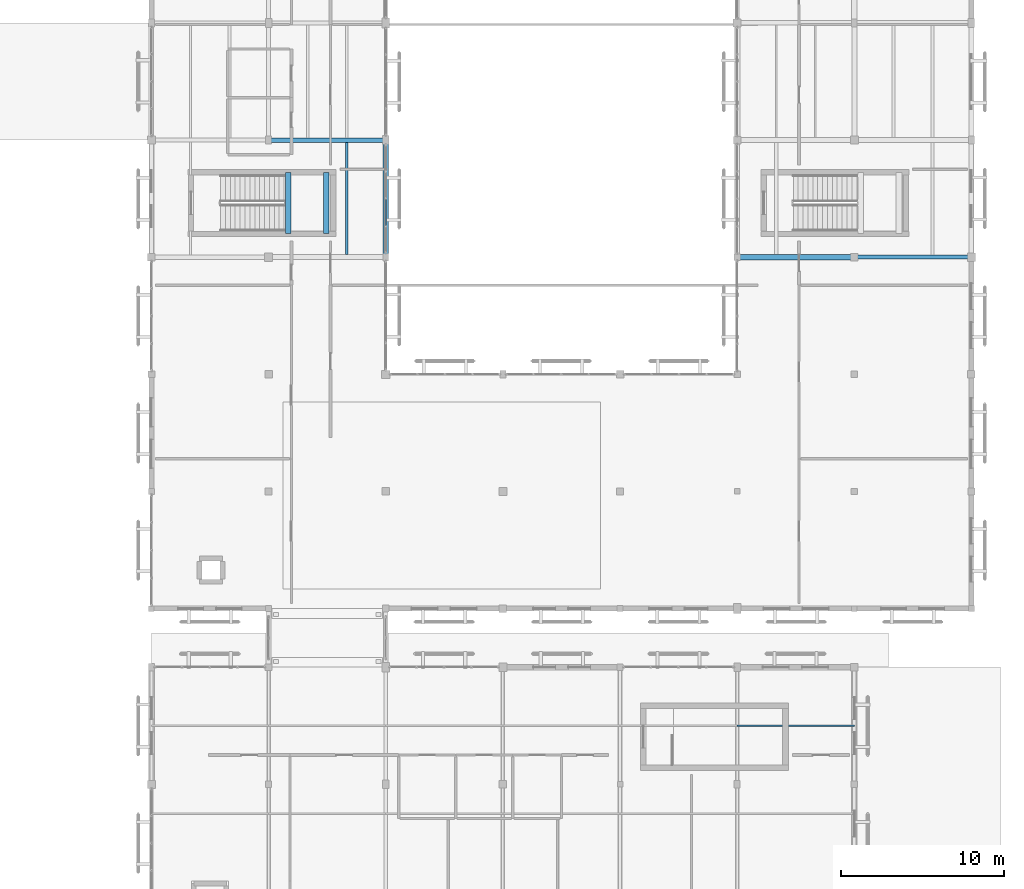
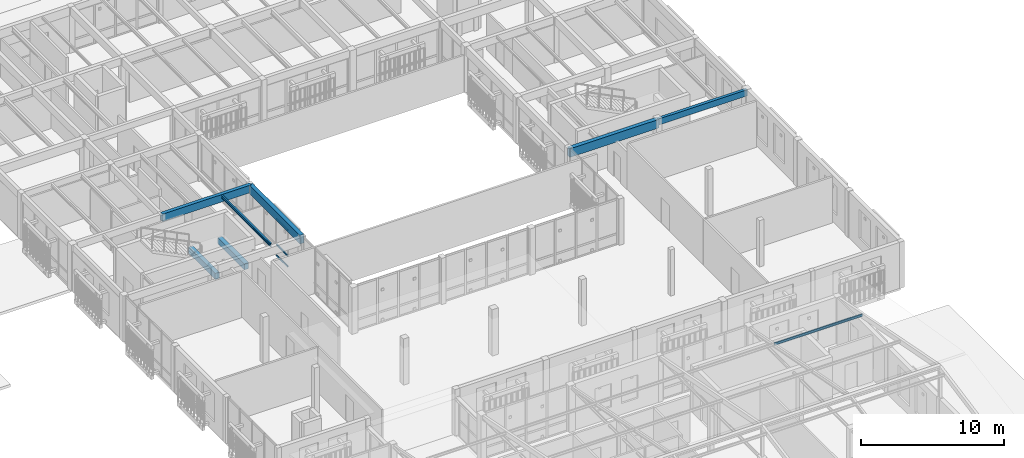
# One storey, part 58 of 112: 7 beams, 4 members, 1 element without a shape of its own.
"""IFC4 building model written with IfcOpenShell, lengths in metres."""

from ifc_helpers import new_model, si_unit, direction, frame, origin, origin_2d, place, context, subcontext, project, spatial, rectangle, hollow_rectangle, i_section, extrude, material, layer, layer_set, material_profile, profile_set, type_object, element, aggregate, save


model = new_model("IFC4")

# Units and contexts
model_context = context("Model", 3, precision=1e-05, world=origin(), true_north=direction((0.0, 1.0)))
body_context = subcontext(model_context, "Body", "Model", "MODEL_VIEW")
ifc_project = project(units=[si_unit("LENGTHUNIT", "METRE"), si_unit("AREAUNIT", "SQUARE_METRE"), si_unit("VOLUMEUNIT", "CUBIC_METRE"), si_unit("PLANEANGLEUNIT", "RADIAN"), si_unit("MASSUNIT", "GRAM", prefix="KILO")], contexts=[model_context])

# Site, building, storey
site_placement = place(None, origin())
site = spatial("IfcSite", under=ifc_project, at=site_placement, CompositionType="ELEMENT")
building_placement = place(site_placement, origin())
building = spatial("IfcBuilding", under=site, at=building_placement, Name="Mazaris Harbour Polytechnic", CompositionType="ELEMENT")
storey_placement = place(building_placement, frame((0.0, 0.0, 13.800048828125)))
storey = spatial("IfcBuildingStorey", under=building, at=storey_placement, Name="L03", CompositionType="ELEMENT", Elevation=13.800048828125)

# Curtain wall, members
ifc_material_1 = material(Name="Anodised Bronze Aluminium and Low-E Glass", Category="aluminium")
ifc_layer = layer(ifc_material_1, 0.169921875, Name="Anodised Bronze Aluminium and Low-E Glass")
ifc_layer_set = layer_set([ifc_layer], Name="Anodised Bronze Aluminium and Low-E Glass")
curtain_wall_type = type_object("IfcCurtainWallType", Name="Studio North-Light Curtain Wall", PredefinedType="NOTDEFINED", material=ifc_layer_set)
curtain_wall_placement = place(storey_placement, origin())
curtain_wall = element("IfcCurtainWall", 1, at=curtain_wall_placement, inside=storey, type_object=curtain_wall_type, Name="V5 L03 Curtain Wall 264", PredefinedType="NOTDEFINED")
ifc_material_2 = material(Name="Anodised Bronze Steel S355", Category="steel")
ifc_material_profile_1 = material_profile(ifc_material_2, hollow_rectangle(XDim=0.080078125, YDim=0.139892578125, WallThickness=0.00634765625, at=origin_2d()), Name="RHS 80x140x6.3")
ifc_profile_set_1 = profile_set([ifc_material_profile_1], Name="Anodised Bronze Steel S355")
member_type_1 = type_object("IfcMemberType", Name="Curtain Transom RHS80x140", PredefinedType="USERDEFINED", material=ifc_profile_set_1)
member_1_placement = place(storey_placement, frame((136.800048828125, 70.348388671875, 0.0400390625), z_axis=(0.0, 1.0, 0.0), x_axis=(-1.0, 0.0, 0.0)))
member_1 = element("IfcMember", 2, at=member_1_placement, type_object=member_type_1, Name="CW-03 transom 2.1", ObjectType="TRANSOM", PredefinedType="USERDEFINED", context=body_context, shape_type="SweptSolid", body=[
    extrude(hollow_rectangle(XDim=0.080078125, YDim=0.139892578125, WallThickness=0.00634765625, at=origin_2d()), origin(), (0.0, 0.0, 1.0), 1.5966796875),
])
member_2_placement = place(storey_placement, frame((136.800048828125, 70.348388671875, 0.949951171875), z_axis=(0.0, 1.0, 0.0), x_axis=(-1.0, 0.0, 0.0)))
member_2 = element("IfcMember", 3, at=member_2_placement, type_object=member_type_1, Name="CW-03 transom 2.2", ObjectType="TRANSOM", PredefinedType="USERDEFINED", context=body_context, shape_type="SweptSolid", body=[
    extrude(hollow_rectangle(XDim=0.080078125, YDim=0.139892578125, WallThickness=0.00634765625, at=origin_2d()), origin(), (0.0, 0.0, 1.0), 1.5966796875),
])
member_3_placement = place(storey_placement, frame((136.800048828125, 70.348388671875, 3.14501953125), z_axis=(0.0, 1.0, 0.0), x_axis=(-1.0, 0.0, 0.0)))
member_3 = element("IfcMember", 4, at=member_3_placement, type_object=member_type_1, Name="CW-03 transom 2.3", ObjectType="TRANSOM", PredefinedType="USERDEFINED", context=body_context, shape_type="SweptSolid", body=[
    extrude(hollow_rectangle(XDim=0.080078125, YDim=0.139892578125, WallThickness=0.00634765625, at=origin_2d()), origin(), (0.0, 0.0, 1.0), 1.5966796875),
])
aggregate(curtain_wall, [member_1, member_2, member_3])

# Beams
ifc_material_3 = material(Name="Glulam GL32h", Category="wood")
ifc_material_profile_2 = material_profile(ifc_material_3, rectangle(XDim=0.239990234375, YDim=0.52001953125, at=origin_2d()), Name="RECT240x520")
ifc_profile_set_2 = profile_set([ifc_material_profile_2], Name="Glulam GL32h")
beam_type_1 = type_object("IfcBeamType", Name="Glulam Girder 240x520 Exterior", PredefinedType="BEAM", material=ifc_profile_set_2)
beam_1_placement = place(storey_placement, frame((165.60009765625, 68.39990234375, 3.56005859375), z_axis=(1.0, 0.0, 0.0), x_axis=(0.0, 1.0, 0.0)))
element("IfcBeam", 5, at=beam_1_placement, inside=storey, type_object=beam_type_1, Name="V5 L03 Girder 3300", PredefinedType="BEAM", context=body_context, shape_type="SweptSolid", body=[
    extrude(rectangle(XDim=0.239990234375, YDim=0.52001953125, at=origin_2d()), origin(), (0.0, 0.0, 1.0), 7.199951171875),
])
ifc_material_4 = material(Name="Glulam GL32h", Category="wood")
ifc_material_profile_3 = material_profile(ifc_material_4, rectangle(XDim=0.280029296875, YDim=0.639892578125, at=origin_2d()), Name="RECT280x640")
ifc_profile_set_3 = profile_set([ifc_material_profile_3], Name="Glulam GL32h")
beam_type_2 = type_object("IfcBeamType", Name="Glulam Girder 280x640", PredefinedType="BEAM", material=ifc_profile_set_3)
beam_2_placement = place(storey_placement, frame((129.60009765625, 75.60009765625, 3.614990234375), z_axis=(1.0, 0.0, 0.0), x_axis=(0.0, 1.0, 0.0)))
element("IfcBeam", 6, at=beam_2_placement, inside=storey, type_object=beam_type_2, Name="V5 L03 Girder 3302", PredefinedType="BEAM", context=body_context, shape_type="SweptSolid", body=[
    extrude(rectangle(XDim=0.280029296875, YDim=0.639892578125, at=origin_2d()), origin(), (0.0, 0.0, 1.0), 7.199951171875),
])
ifc_material_5 = material(Name="Glulam GL32h", Category="wood")
ifc_material_profile_4 = material_profile(ifc_material_5, rectangle(XDim=0.320068359375, YDim=0.739990234375, at=origin_2d()), Name="RECT320x740")
ifc_profile_set_4 = profile_set([ifc_material_profile_4], Name="Glulam GL32h")
beam_type_3 = type_object("IfcBeamType", Name="Glulam Girder 320x740", PredefinedType="BEAM", material=ifc_profile_set_4)
beam_3_placement = place(storey_placement, frame((136.800048828125, 68.39990234375, 3.56494140625), z_axis=(0.0, 1.0, 0.0), x_axis=(-1.0, 0.0, 0.0)))
element("IfcBeam", 7, at=beam_3_placement, inside=storey, type_object=beam_type_3, Name="V5 L03 Tie Girder 3339", PredefinedType="BEAM", context=body_context, shape_type="SweptSolid", body=[
    extrude(rectangle(XDim=0.320068359375, YDim=0.739990234375, at=origin_2d()), origin(), (0.0, 0.0, 1.0), 7.2001953125),
])
ifc_material_6 = material(Name="Glulam GL32h", Category="wood")
ifc_material_profile_5 = material_profile(ifc_material_6, rectangle(XDim=0.320068359375, YDim=0.739990234375, at=origin_2d()), Name="RECT320x740")
ifc_profile_set_5 = profile_set([ifc_material_profile_5], Name="Glulam GL32h")
beam_type_4 = type_object("IfcBeamType", Name="Glulam Girder 320x740 Exterior", PredefinedType="BEAM", material=ifc_profile_set_5)
beam_4_placement = place(storey_placement, frame((158.39990234375, 68.39990234375, 3.449951171875), z_axis=(1.0, 0.0, 0.0), x_axis=(0.0, 1.0, 0.0)))
element("IfcBeam", 8, at=beam_4_placement, inside=storey, type_object=beam_type_4, Name="V5 L03 Girder 3299", PredefinedType="BEAM", context=body_context, shape_type="SweptSolid", body=[
    extrude(rectangle(XDim=0.320068359375, YDim=0.739990234375, at=origin_2d()), origin(), (0.0, 0.0, 1.0), 7.2001953125),
])
ifc_material_7 = material(Name="Concrete C40/50", Category="concrete")
ifc_material_profile_6 = material_profile(ifc_material_7, rectangle(XDim=0.35009765625, YDim=0.52001953125, at=origin_2d()), Name="RECT350x520")
ifc_profile_set_6 = profile_set([ifc_material_profile_6], Name="Concrete C40/50")
beam_type_5 = type_object("IfcBeamType", Name="RC Landing Bearer 350x520", PredefinedType="BEAM", material=ifc_profile_set_6)
for number, where, z_axis, x_axis, name in (
    (9, (130.800048828125, 69.85009765625, 1.639892578125), (0.0, 1.0, 0.0), (-1.0, 0.0, 0.0), "Core ST09 L03 Landing Bearer"),
    (10, (133.14990234375, 69.85009765625, 1.639892578125), (0.0, 1.0, 0.0), (-1.0, 0.0, 0.0), "Core ST09 L03 Landing Bearer"),
):
    element("IfcBeam", number, at=place(storey_placement, frame(where, z_axis=z_axis, x_axis=x_axis)), inside=storey, type_object=beam_type_5, Name=name, PredefinedType="BEAM", context=body_context, shape_type="SweptSolid", body=[
        extrude(rectangle(XDim=0.35009765625, YDim=0.52001953125, at=origin_2d()), origin(), (0.0, 0.0, 1.0), 3.75),
    ])
ifc_material_8 = material(Name="Steel S355", Category="steel")
ifc_material_profile_7 = material_profile(ifc_material_8, i_section(OverallWidth=0.135009765625, OverallDepth=0.27001953125, WebThickness=0.006591796875, FlangeThickness=0.01025390625, FilletRadius=0.014892578125, at=origin_2d()), Name="IPE 270")
ifc_profile_set_7 = profile_set([ifc_material_profile_7], Name="Steel S355")
beam_type_6 = type_object("IfcBeamType", Name="Steel Joist IPE270", PredefinedType="JOIST", material=ifc_profile_set_7)
beam_5_placement = place(storey_placement, frame((134.39990234375, 68.550048828125, 3.800048828125), z_axis=(0.0, 1.0, 0.0), x_axis=(-1.0, 0.0, 0.0)))
element("IfcBeam", 11, at=beam_5_placement, inside=storey, type_object=beam_type_6, Name="V5 L03 Floor Joist 3369", PredefinedType="JOIST", context=body_context, shape_type="SweptSolid", body=[
    extrude(i_section(OverallWidth=0.135009765625, OverallDepth=0.27001953125, WebThickness=0.006591796875, FlangeThickness=0.01025390625, FilletRadius=0.014892578125, at=origin_2d()), origin(), (0.0, 0.0, 1.0), 6.909912109375),
])

# Member
ifc_material_9 = material(Name="Steel S355", Category="steel")
ifc_material_profile_8 = material_profile(ifc_material_9, i_section(OverallWidth=0.10009765625, OverallDepth=0.199951171875, WebThickness=0.005615234375, FlangeThickness=0.008544921875, FilletRadius=0.011962890625, at=origin_2d()), Name="IPE 200")
ifc_profile_set_8 = profile_set([ifc_material_profile_8], Name="Steel S355")
member_type_2 = type_object("IfcMemberType", Name="Steel Purlin IPE200", PredefinedType="PURLIN", material=ifc_profile_set_8)
member_4_placement = place(storey_placement, frame((158.39990234375, 39.60009765625, 4.47998046875), z_axis=(1.0, 0.0, 0.0), x_axis=(0.0, 1.0, 0.0)))
element("IfcMember", 12, at=member_4_placement, inside=storey, type_object=member_type_2, Name="V2 Roof Purlin 177", PredefinedType="PURLIN", context=body_context, shape_type="SweptSolid", body=[
    extrude(i_section(OverallWidth=0.10009765625, OverallDepth=0.199951171875, WebThickness=0.005615234375, FlangeThickness=0.008544921875, FilletRadius=0.011962890625, at=origin_2d()), origin(), (0.0, 0.0, 1.0), 7.2001953125),
])

save(model, "model.ifc")
